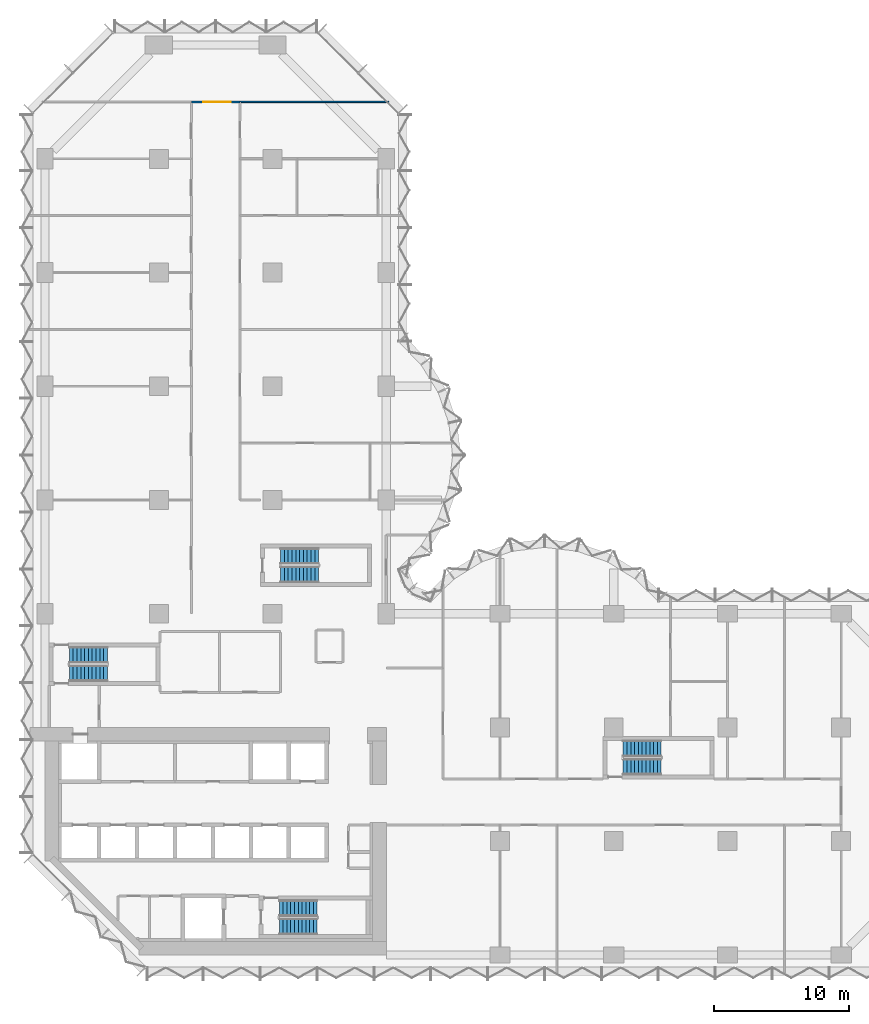
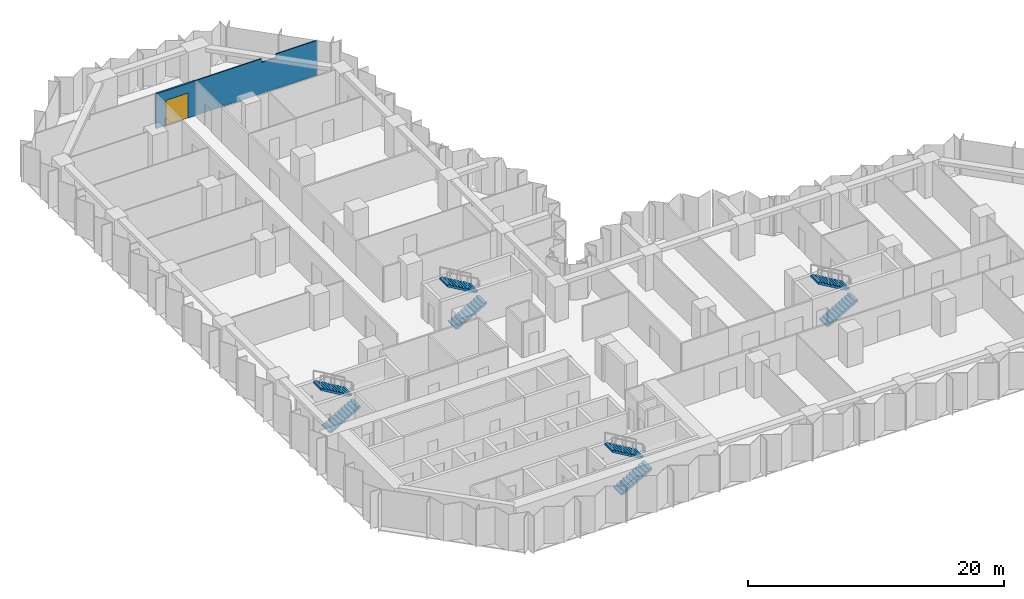
# One storey, part 12 of 15: 8 stair flights, 2 walls, 1 door, 1 opening, 4 elements without a shape of their own.
"""IFC4 building model written with IfcOpenShell, lengths in metres."""

import ifcopenshell
import ifcopenshell.guid

model = None  # the IFC model being written
_history = None  # IfcOwnerHistory: only IFC2X3 demands one
_inside = {}  # id of a spatial element -> (the spatial element, [elements in it])
_under = {}  # id of a project, library or spatial element -> (it, [spatial elements below it])
_declared = {}  # id of a project -> (the project, [libraries it declares])
_typed = {}  # id of a type object -> (the type object, [elements of that type])
_made_of = {}  # id of a material, layer set ... -> (it, [elements and type objects made of it])


def new_model(schema):
    """Start an empty IFC model of exactly this schema.

    Asked for "IFC4X3", IfcOpenShell would pick the latest addendum, in which some entities
    have other attributes; the version numbers below select the first issue.
    IFC2X3 requires an IfcOwnerHistory on every rooted entity: one is made here for all.
    """
    global model, _history
    if schema == "IFC4X3":
        model = ifcopenshell.file(schema_version=(4, 3, 0, 0))
    else:
        model = ifcopenshell.file(schema=schema)
    _inside.clear()
    _under.clear()
    _declared.clear()
    _typed.clear()
    _made_of.clear()
    _history = None
    if model.schema == "IFC2X3":
        org = make("IfcOrganization", Name="unknown")
        user = make(
            "IfcPersonAndOrganization",
            ThePerson=make("IfcPerson", FamilyName="unknown"),
            TheOrganization=org,
        )
        app = make(
            "IfcApplication",
            ApplicationDeveloper=org,
            Version="unknown",
            ApplicationFullName="unknown",
            ApplicationIdentifier="unknown",
        )
        _history = make(
            "IfcOwnerHistory",
            OwningUser=user,
            OwningApplication=app,
            ChangeAction="ADDED",
            CreationDate=0,
        )
    return model


def make(cls, **values):
    """One entity of the class cls with the attributes given. An attribute that is None is left unset."""
    return model.create_entity(
        cls, **{name: value for name, value in values.items() if value is not None}
    )


def rooted(cls, **values):
    """An entity with a GlobalId (a new one), such as an element, a storey or a relation."""
    return make(cls, GlobalId=ifcopenshell.guid.new(), OwnerHistory=_history, **values)


def si_unit(unit_type, name, prefix=None):
    """IfcSIUnit, for example si_unit("LENGTHUNIT", "METRE", prefix="MILLI")."""
    return make("IfcSIUnit", UnitType=unit_type, Prefix=prefix, Name=name)


def assignment(units):
    """IfcUnitAssignment: the units of a project."""
    return None if units is None else make("IfcUnitAssignment", Units=units)


def point(xyz):
    """IfcCartesianPoint."""
    return None if xyz is None else make("IfcCartesianPoint", Coordinates=xyz)


def direction(xyz):
    """IfcDirection."""
    return None if xyz is None else make("IfcDirection", DirectionRatios=xyz)


def frame(location, z_axis=None, x_axis=None):
    """IfcAxis2Placement3D, a coordinate frame: its origin and axes. An axis left out is left unset."""
    return make(
        "IfcAxis2Placement3D",
        Location=point(location),
        Axis=direction(z_axis),
        RefDirection=direction(x_axis),
    )


def frame_2d(location, x_axis=None):
    """IfcAxis2Placement2D, a coordinate frame in the plane: its origin and x axis."""
    return make(
        "IfcAxis2Placement2D", Location=point(location), RefDirection=direction(x_axis)
    )


def origin():
    """The frame at (0, 0, 0) with its axes left unset."""
    return frame((0.0, 0.0, 0.0))


def place(relative_to, where):
    """IfcLocalPlacement: puts the frame where relative to a parent placement (None: the world)."""
    return make(
        "IfcLocalPlacement", PlacementRelTo=relative_to, RelativePlacement=where
    )


def context(
    kind, dimensions, precision=None, world=None, true_north=None, identifier=None
):
    """IfcGeometricRepresentationContext, for example the 3D "Model" context."""
    return make(
        "IfcGeometricRepresentationContext",
        ContextIdentifier=identifier,
        ContextType=kind,
        CoordinateSpaceDimension=dimensions,
        Precision=precision,
        WorldCoordinateSystem=world,
        TrueNorth=true_north,
    )


def subcontext(parent, identifier, kind, view, scale=None):
    """IfcGeometricRepresentationSubContext, for example "Body" below "Model"."""
    return make(
        "IfcGeometricRepresentationSubContext",
        ContextIdentifier=identifier,
        ContextType=kind,
        ParentContext=parent,
        TargetScale=scale,
        TargetView=view,
    )


def project(units=None, contexts=None):
    """IfcProject with its units and contexts."""
    return rooted(
        "IfcProject",
        Name="project",
        RepresentationContexts=contexts,
        UnitsInContext=assignment(units),
    )


def spatial(cls, under=None, at=None, **own):
    """A site, building, storey or space (cls), placed at a placement, below another one or the project."""
    s = rooted(cls, ObjectPlacement=at, **own)
    if under is not None:
        _under.setdefault(under.id(), (under, []))[1].append(s)
    return s


def polyline(points):
    """IfcPolyline through the points."""
    return make("IfcPolyline", Points=[point(p) for p in points])


def profile(cls, at=None, kind="AREA", **sizes):
    """A parametric profile (cls). Its sizes go by their IFC names, for example OverallWidth=200.0."""
    return make(cls, ProfileType=kind, Position=at, **sizes)


def rectangle(**sizes):
    """IfcRectangleProfileDef."""
    return profile("IfcRectangleProfileDef", **sizes)


def outline(outer, holes=None, kind="AREA"):
    """IfcArbitraryClosedProfileDef: a profile drawn as a closed curve; with holes, ...WithVoids."""
    if holes is None:
        return make("IfcArbitraryClosedProfileDef", ProfileType=kind, OuterCurve=outer)
    return make(
        "IfcArbitraryProfileDefWithVoids",
        ProfileType=kind,
        OuterCurve=outer,
        InnerCurves=holes,
    )


def extrude(swept, where, along, depth):
    """IfcExtrudedAreaSolid: the profile swept, set in the frame where, extruded along a direction by depth."""
    return make(
        "IfcExtrudedAreaSolid",
        SweptArea=swept,
        Position=where,
        ExtrudedDirection=direction(along),
        Depth=depth,
    )


def shape(context_of_items, identifier, shape_type, items):
    """IfcShapeRepresentation: the items that make up one representation, for example the "Body"."""
    return make(
        "IfcShapeRepresentation",
        ContextOfItems=context_of_items,
        RepresentationIdentifier=identifier,
        RepresentationType=shape_type,
        Items=items,
    )


def material(Name=None, Category=None):
    """IfcMaterial."""
    return make("IfcMaterial", Name=Name, Category=Category)


def layer(
    of_material, thickness, ventilated=None, Name=None, Category=None, Priority=None
):
    """IfcMaterialLayer: one layer of a wall or slab, of a material (None: an air gap)."""
    return make(
        "IfcMaterialLayer",
        Material=of_material,
        LayerThickness=thickness,
        IsVentilated=ventilated,
        Name=Name,
        Category=Category,
        Priority=Priority,
    )


def layer_set(layers, Name=None):
    """IfcMaterialLayerSet."""
    return make("IfcMaterialLayerSet", MaterialLayers=layers, LayerSetName=Name)


def made_of(thing, what):
    """Note that an element or type object is made of a material, layer set ...; save() writes the relation."""
    if what is not None:
        _made_of.setdefault(what.id(), (what, []))[1].append(thing)
    return thing


def type_object(cls, material=None, **own):
    """A type object (cls), such as IfcWallType, which elements share."""
    return made_of(rooted(cls, **own), material)


def element(
    cls,
    number,
    at=None,
    inside=None,
    cuts=None,
    type_object=None,
    material=None,
    context=None,
    identifier="Body",
    shape_type=None,
    held_by="IfcProductDefinitionShape",
    body=None,
    shapes=None,
    **own,
):
    """One element of the class cls, such as IfcWall. Its Tag is "e" and its number.

    at: its placement. inside: the storey or other place that contains it. cuts: it is an
    opening in that element (IfcRelVoidsElement). A single representation is given by context,
    identifier, shape_type and body (its items); several are given by shapes. held_by: the class
    of the entity that holds the representations. save() writes the other relations.
    """
    e = rooted(cls, Tag="e%d" % number, ObjectPlacement=at, **own)
    if body is not None:
        shapes = [shape(context, identifier, shape_type, body)]
    if shapes is not None:
        e.Representation = make(held_by, Representations=shapes)
    if inside is not None:
        _inside.setdefault(inside.id(), (inside, []))[1].append(e)
    if cuts is not None:
        rooted(
            "IfcRelVoidsElement", RelatingBuildingElement=cuts, RelatedOpeningElement=e
        )
    if type_object is not None:
        _typed.setdefault(type_object.id(), (type_object, []))[1].append(e)
    return made_of(e, material)


def fill(opening, filler):
    """IfcRelFillsElement: the door or window that sits in an opening."""
    return rooted(
        "IfcRelFillsElement",
        RelatingOpeningElement=opening,
        RelatedBuildingElement=filler,
    )


def aggregate(whole, parts):
    """IfcRelAggregates: a whole, such as a stair, and the parts it consists of."""
    return rooted("IfcRelAggregates", RelatingObject=whole, RelatedObjects=parts)


def save(model, path):
    """Write the relations noted so far, then the file.

    IfcRelAggregates (storeys below a building ...), IfcRelContainedInSpatialStructure (elements
    in a storey), IfcRelDefinesByType, IfcRelAssociatesMaterial and IfcRelDeclares: one each for
    every whole, place, type object, material and project.
    """
    for whole, parts in _under.values():
        aggregate(whole, parts)
    for where, things in _inside.values():
        rooted(
            "IfcRelContainedInSpatialStructure",
            RelatedElements=things,
            RelatingStructure=where,
        )
    for kind, things in _typed.values():
        rooted("IfcRelDefinesByType", RelatedObjects=things, RelatingType=kind)
    for what, things in _made_of.values():
        rooted("IfcRelAssociatesMaterial", RelatedObjects=things, RelatingMaterial=what)
    for by, libraries in _declared.values():
        rooted("IfcRelDeclares", RelatingContext=by, RelatedDefinitions=libraries)
    model.write(path)


model = new_model("IFC4")

# Units and contexts
model_context = context("Model", 3, precision=1e-05, world=origin(), true_north=direction((0.0, 1.0)))
body_context = subcontext(model_context, "Body", "Model", "MODEL_VIEW")
ifc_project = project(units=[si_unit("LENGTHUNIT", "METRE"), si_unit("AREAUNIT", "SQUARE_METRE"), si_unit("VOLUMEUNIT", "CUBIC_METRE"), si_unit("PLANEANGLEUNIT", "RADIAN"), si_unit("MASSUNIT", "GRAM", prefix="KILO")], contexts=[model_context])

# Site, building, storey
site_placement = place(None, origin())
site = spatial("IfcSite", under=ifc_project, at=site_placement, CompositionType="ELEMENT")
building_placement = place(site_placement, origin())
building = spatial("IfcBuilding", under=site, at=building_placement, Name="Brevane Broadcast Tower", CompositionType="ELEMENT")
storey_placement = place(building_placement, frame((0.0, 0.0, 72.5)))
storey = spatial("IfcBuildingStorey", under=building, at=storey_placement, Name="L16", CompositionType="ELEMENT", Elevation=72.5)

# Wall
ifc_material_1 = material(Name="Gypsum board partition")
ifc_layer_1 = layer(ifc_material_1, 0.10009765625)
ifc_layer_set_1 = layer_set([ifc_layer_1], Name="PARTITION 100 STUD")
wall_type_1 = type_object("IfcWallType", Name="PARTITION 100 STUD", PredefinedType="PARTITIONING", material=ifc_layer_set_1)
wall_1_placement = place(storey_placement, frame((25.39990234375, 63.0, 0.0), z_axis=(0.0, 0.0, 1.0), x_axis=(-1.0, 0.0, 0.0)))
element("IfcWall", 1, at=wall_1_placement, inside=storey, type_object=wall_type_1, Name="Partition G04-055", PredefinedType="PARTITIONING", context=body_context, shape_type="SweptSolid", body=[
    extrude(outline(polyline([(0.0, 0.0), (11.0, 0.0), (11.0, 3.330078125), (5.065673828125, 3.330078125), (5.063720703125, 2.97998046875), (3.736328125, 2.97998046875), (3.734375, 3.330078125), (0.0, 3.330078125), (0.0, 0.0)])), frame((0.0, 0.050048828125, 0.0), z_axis=(0.0, -1.0, 0.0), x_axis=(1.0, 0.0, 0.0)), (0.0, 0.0, 1.0), 0.10009765625),
])

# Wall, opening, door
ifc_layer_2 = layer(ifc_material_1, 0.14990234375)
ifc_layer_set_2 = layer_set([ifc_layer_2], Name="PARTITION 150 EI 60")
wall_type_2 = type_object("IfcWallType", Name="PARTITION 150 EI 60", PredefinedType="PARTITIONING", material=ifc_layer_set_2)
wall_2_placement = place(storey_placement, frame((10.800048828125, 63.0, 0.0), z_axis=(0.0, 0.0, 1.0), x_axis=(1.0, 0.0, 0.0)))
wall_2 = element("IfcWall", 2, at=wall_2_placement, inside=storey, type_object=wall_type_2, Name="Partition G04-042", PredefinedType="PARTITIONING", context=body_context, shape_type="SweptSolid", body=[
    extrude(rectangle(XDim=3.599853515625, YDim=0.14990234375, at=frame_2d((1.7998046875, 0.0))), origin(), (0.0, 0.0, 1.0), 3.330078125),
])
opening_placement = place(wall_2_placement, frame((0.89990234375, 0.0, 0.0)))
opening = element("IfcOpeningElement", 3, at=opening_placement, cuts=wall_2, Name="Opening D10-014", PredefinedType="OPENING", context=body_context, shape_type="SweptSolid", body=[
    extrude(rectangle(XDim=2.0, YDim=2.39990234375, at=frame_2d((1.0, 1.199951171875))), frame((0.0, 0.0849609375, 0.0), z_axis=(0.0, -1.0, 0.0), x_axis=(1.0, 0.0, 0.0)), (0.0, 0.0, 1.0), 0.169921875),
])
ifc_material_2 = material(Name="Fire-rated timber door leaf", Category="wood")
door_type = type_object("IfcDoorType", Name="DOOR DOUBLE 2000 FD30S", OperationType="DOUBLE_DOOR_SINGLE_SWING", PredefinedType="DOOR", material=ifc_material_2)
door_placement = place(opening_placement, origin())
door = element("IfcDoor", 4, at=door_placement, inside=storey, type_object=door_type, Name="Door D10-014", OperationType="DOUBLE_DOOR_SINGLE_SWING", OverallHeight=2.39990234375, OverallWidth=2.0, PredefinedType="DOOR", context=body_context, shape_type="SweptSolid", body=[
    extrude(rectangle(XDim=2.0, YDim=2.39990234375, at=frame_2d((1.0, 1.199951171875))), frame((0.0, 0.02490234375, 0.0), z_axis=(0.0, -1.0, 0.0), x_axis=(1.0, 0.0, 0.0)), (0.0, 0.0, 1.0), 0.050048828125),
])
fill(opening, door)

# Stair, stair flights
ifc_material_3 = material(Name="Concrete C50/60", Category="concrete")
stair_type = type_object("IfcStairType", Name="Exit stair 22 risers", PredefinedType="HALF_TURN_STAIR", material=ifc_material_3)
stair_1_placement = place(storey_placement, origin())
stair_1 = element("IfcStair", 5, at=stair_1_placement, inside=storey, type_object=stair_type, Name="L16 Exit stair ST-1", PredefinedType="HALF_TURN_STAIR")
stair_flight_type = type_object("IfcStairFlightType", Name="Exit stair flight 22 risers", PredefinedType="STRAIGHT", material=ifc_material_3)
stair_flight_1_placement = place(storey_placement, frame((1.800048828125, 20.800048828125, 0.0), z_axis=(0.0, 0.0, 1.0), x_axis=(1.0, 0.0, 0.0)))
stair_flight_1 = element("IfcStairFlight", 6, at=stair_flight_1_placement, type_object=stair_flight_type, Name="ST-1 flight 1", NumberOfRisers=11, NumberOfTreads=10, PredefinedType="STRAIGHT", RiserHeight=0.163636364, TreadLength=0.28, context=body_context, shape_type="SweptSolid", body=[
    extrude(outline(polyline([(0.0, 0.0), (0.0, 0.16357421875), (0.280029296875, 0.16357421875), (0.280029296875, 0.327392578125), (0.56005859375, 0.327392578125), (0.56005859375, 0.490966796875), (0.840087890625, 0.490966796875), (0.840087890625, 0.654541015625), (1.1201171875, 0.654541015625), (1.1201171875, 0.818115234375), (1.39990234375, 0.818115234375), (1.39990234375, 0.98193359375), (1.679931640625, 0.98193359375), (1.679931640625, 1.1455078125), (1.9599609375, 1.1455078125), (1.9599609375, 1.30908203125), (2.239990234375, 1.30908203125), (2.239990234375, 1.47265625), (2.52001953125, 1.47265625), (2.52001953125, 1.636474609375), (2.800048828125, 1.636474609375), (2.800048828125, 1.800048828125), (2.800048828125, 1.462646484375), (0.297119140625, 0.0), (0.0, 0.0)])), frame((0.0, 0.60009765625, 0.0), z_axis=(0.0, -1.0, 0.0), x_axis=(1.0, 0.0, 0.0)), (0.0, 0.0, 1.0), 1.199951171875),
])
stair_flight_2_placement = place(storey_placement, frame((4.60009765625, 22.14990234375, 1.800048828125), z_axis=(0.0, 0.0, 1.0), x_axis=(-1.0, 0.0, 0.0)))
stair_flight_2 = element("IfcStairFlight", 7, at=stair_flight_2_placement, type_object=stair_flight_type, Name="ST-1 flight 2", NumberOfRisers=11, NumberOfTreads=10, PredefinedType="STRAIGHT", RiserHeight=0.163636364, TreadLength=0.28, context=body_context, shape_type="SweptSolid", body=[
    extrude(outline(polyline([(0.0, 0.0), (0.0, 0.16357421875), (0.280029296875, 0.16357421875), (0.280029296875, 0.327392578125), (0.56005859375, 0.327392578125), (0.56005859375, 0.490966796875), (0.840087890625, 0.490966796875), (0.840087890625, 0.654541015625), (1.1201171875, 0.654541015625), (1.1201171875, 0.818115234375), (1.39990234375, 0.818115234375), (1.39990234375, 0.98193359375), (1.679931640625, 0.98193359375), (1.679931640625, 1.1455078125), (1.9599609375, 1.1455078125), (1.9599609375, 1.30908203125), (2.239990234375, 1.30908203125), (2.239990234375, 1.47265625), (2.52001953125, 1.47265625), (2.52001953125, 1.636474609375), (2.800048828125, 1.636474609375), (2.800048828125, 1.800048828125), (2.800048828125, 1.462646484375), (0.297119140625, 0.0), (0.0, 0.0)])), frame((0.0, 0.60009765625, 0.0), z_axis=(0.0, -1.0, 0.0), x_axis=(1.0, 0.0, 0.0)), (0.0, 0.0, 1.0), 1.199951171875),
])
aggregate(stair_1, [stair_flight_1, stair_flight_2])

stair_2_placement = place(storey_placement, origin())
stair_2 = element("IfcStair", 8, at=stair_2_placement, inside=storey, type_object=stair_type, Name="L16 Exit stair ST-2", PredefinedType="HALF_TURN_STAIR")
stair_flight_3_placement = place(storey_placement, frame((17.300048828125, 2.10009765625, 0.0), z_axis=(0.0, 0.0, 1.0), x_axis=(1.0, 0.0, 0.0)))
stair_flight_3 = element("IfcStairFlight", 9, at=stair_flight_3_placement, type_object=stair_flight_type, Name="ST-2 flight 1", NumberOfRisers=11, NumberOfTreads=10, PredefinedType="STRAIGHT", RiserHeight=0.163636364, TreadLength=0.28, context=body_context, shape_type="SweptSolid", body=[
    extrude(outline(polyline([(0.0, 0.0), (0.0, 0.16357421875), (0.280029296875, 0.16357421875), (0.280029296875, 0.327392578125), (0.56005859375, 0.327392578125), (0.56005859375, 0.490966796875), (0.840087890625, 0.490966796875), (0.840087890625, 0.654541015625), (1.1201171875, 0.654541015625), (1.1201171875, 0.818115234375), (1.39990234375, 0.818115234375), (1.39990234375, 0.98193359375), (1.679931640625, 0.98193359375), (1.679931640625, 1.1455078125), (1.9599609375, 1.1455078125), (1.9599609375, 1.30908203125), (2.239990234375, 1.30908203125), (2.239990234375, 1.47265625), (2.52001953125, 1.47265625), (2.52001953125, 1.636474609375), (2.800048828125, 1.636474609375), (2.800048828125, 1.800048828125), (2.800048828125, 1.462646484375), (0.297119140625, 0.0), (0.0, 0.0)])), frame((0.0, 0.60009765625, 0.0), z_axis=(0.0, -1.0, 0.0), x_axis=(1.0, 0.0, 0.0)), (0.0, 0.0, 1.0), 1.199951171875),
])
stair_flight_4_placement = place(storey_placement, frame((20.10009765625, 3.449951171875, 1.800048828125), z_axis=(0.0, 0.0, 1.0), x_axis=(-1.0, 0.0, 0.0)))
stair_flight_4 = element("IfcStairFlight", 10, at=stair_flight_4_placement, type_object=stair_flight_type, Name="ST-2 flight 2", NumberOfRisers=11, NumberOfTreads=10, PredefinedType="STRAIGHT", RiserHeight=0.163636364, TreadLength=0.28, context=body_context, shape_type="SweptSolid", body=[
    extrude(outline(polyline([(0.0, 0.0), (0.0, 0.16357421875), (0.280029296875, 0.16357421875), (0.280029296875, 0.327392578125), (0.56005859375, 0.327392578125), (0.56005859375, 0.490966796875), (0.840087890625, 0.490966796875), (0.840087890625, 0.654541015625), (1.1201171875, 0.654541015625), (1.1201171875, 0.818115234375), (1.39990234375, 0.818115234375), (1.39990234375, 0.98193359375), (1.679931640625, 0.98193359375), (1.679931640625, 1.1455078125), (1.9599609375, 1.1455078125), (1.9599609375, 1.30908203125), (2.239990234375, 1.30908203125), (2.239990234375, 1.47265625), (2.52001953125, 1.47265625), (2.52001953125, 1.636474609375), (2.800048828125, 1.636474609375), (2.800048828125, 1.800048828125), (2.800048828125, 1.462646484375), (0.297119140625, 0.0), (0.0, 0.0)])), frame((0.0, 0.60009765625, 0.0), z_axis=(0.0, -1.0, 0.0), x_axis=(1.0, 0.0, 0.0)), (0.0, 0.0, 1.0), 1.199951171875),
])
aggregate(stair_2, [stair_flight_3, stair_flight_4])

stair_3_placement = place(storey_placement, origin())
stair_3 = element("IfcStair", 11, at=stair_3_placement, inside=storey, type_object=stair_type, Name="L16 Exit stair ST-3", PredefinedType="HALF_TURN_STAIR")
stair_flight_5_placement = place(storey_placement, frame((17.39990234375, 28.10009765625, 0.0), z_axis=(0.0, 0.0, 1.0), x_axis=(1.0, 0.0, 0.0)))
stair_flight_5 = element("IfcStairFlight", 12, at=stair_flight_5_placement, type_object=stair_flight_type, Name="ST-3 flight 1", NumberOfRisers=11, NumberOfTreads=10, PredefinedType="STRAIGHT", RiserHeight=0.163636364, TreadLength=0.28, context=body_context, shape_type="SweptSolid", body=[
    extrude(outline(polyline([(0.0, 0.0), (0.0, 0.16357421875), (0.280029296875, 0.16357421875), (0.280029296875, 0.327392578125), (0.56005859375, 0.327392578125), (0.56005859375, 0.490966796875), (0.840087890625, 0.490966796875), (0.840087890625, 0.654541015625), (1.1201171875, 0.654541015625), (1.1201171875, 0.818115234375), (1.39990234375, 0.818115234375), (1.39990234375, 0.98193359375), (1.679931640625, 0.98193359375), (1.679931640625, 1.1455078125), (1.9599609375, 1.1455078125), (1.9599609375, 1.30908203125), (2.239990234375, 1.30908203125), (2.239990234375, 1.47265625), (2.52001953125, 1.47265625), (2.52001953125, 1.636474609375), (2.800048828125, 1.636474609375), (2.800048828125, 1.800048828125), (2.800048828125, 1.462646484375), (0.297119140625, 0.0), (0.0, 0.0)])), frame((0.0, 0.60009765625, 0.0), z_axis=(0.0, -1.0, 0.0), x_axis=(1.0, 0.0, 0.0)), (0.0, 0.0, 1.0), 1.199951171875),
])
stair_flight_6_placement = place(storey_placement, frame((20.199951171875, 29.449951171875, 1.800048828125), z_axis=(0.0, 0.0, 1.0), x_axis=(-1.0, 0.0, 0.0)))
stair_flight_6 = element("IfcStairFlight", 13, at=stair_flight_6_placement, type_object=stair_flight_type, Name="ST-3 flight 2", NumberOfRisers=11, NumberOfTreads=10, PredefinedType="STRAIGHT", RiserHeight=0.163636364, TreadLength=0.28, context=body_context, shape_type="SweptSolid", body=[
    extrude(outline(polyline([(0.0, 0.0), (0.0, 0.16357421875), (0.280029296875, 0.16357421875), (0.280029296875, 0.327392578125), (0.56005859375, 0.327392578125), (0.56005859375, 0.490966796875), (0.840087890625, 0.490966796875), (0.840087890625, 0.654541015625), (1.1201171875, 0.654541015625), (1.1201171875, 0.818115234375), (1.39990234375, 0.818115234375), (1.39990234375, 0.98193359375), (1.679931640625, 0.98193359375), (1.679931640625, 1.1455078125), (1.9599609375, 1.1455078125), (1.9599609375, 1.30908203125), (2.239990234375, 1.30908203125), (2.239990234375, 1.47265625), (2.52001953125, 1.47265625), (2.52001953125, 1.636474609375), (2.800048828125, 1.636474609375), (2.800048828125, 1.800048828125), (2.800048828125, 1.462646484375), (0.297119140625, 0.0), (0.0, 0.0)])), frame((0.0, 0.60009765625, 0.0), z_axis=(0.0, -1.0, 0.0), x_axis=(1.0, 0.0, 0.0)), (0.0, 0.0, 1.0), 1.199951171875),
])
aggregate(stair_3, [stair_flight_5, stair_flight_6])

stair_4_placement = place(storey_placement, origin())
stair_4 = element("IfcStair", 14, at=stair_4_placement, inside=storey, type_object=stair_type, Name="L16 Exit stair ST-4", PredefinedType="HALF_TURN_STAIR")
stair_flight_7_placement = place(storey_placement, frame((42.699951171875, 13.89990234375, 0.0), z_axis=(0.0, 0.0, 1.0), x_axis=(1.0, 0.0, 0.0)))
stair_flight_7 = element("IfcStairFlight", 15, at=stair_flight_7_placement, type_object=stair_flight_type, Name="ST-4 flight 1", NumberOfRisers=11, NumberOfTreads=10, PredefinedType="STRAIGHT", RiserHeight=0.163636364, TreadLength=0.28, context=body_context, shape_type="SweptSolid", body=[
    extrude(outline(polyline([(0.0, 0.0), (0.0, 0.16357421875), (0.280029296875, 0.16357421875), (0.280029296875, 0.327392578125), (0.56005859375, 0.327392578125), (0.56005859375, 0.490966796875), (0.840087890625, 0.490966796875), (0.840087890625, 0.654541015625), (1.1201171875, 0.654541015625), (1.1201171875, 0.818115234375), (1.39990234375, 0.818115234375), (1.39990234375, 0.98193359375), (1.679931640625, 0.98193359375), (1.679931640625, 1.1455078125), (1.9599609375, 1.1455078125), (1.9599609375, 1.30908203125), (2.239990234375, 1.30908203125), (2.239990234375, 1.47265625), (2.52001953125, 1.47265625), (2.52001953125, 1.636474609375), (2.800048828125, 1.636474609375), (2.800048828125, 1.800048828125), (2.800048828125, 1.462646484375), (0.297119140625, 0.0), (0.0, 0.0)])), frame((0.0, 0.60009765625, 0.0), z_axis=(0.0, -1.0, 0.0), x_axis=(1.0, 0.0, 0.0)), (0.0, 0.0, 1.0), 1.199951171875),
])
stair_flight_8_placement = place(storey_placement, frame((45.5, 15.25, 1.800048828125), z_axis=(0.0, 0.0, 1.0), x_axis=(-1.0, 0.0, 0.0)))
stair_flight_8 = element("IfcStairFlight", 16, at=stair_flight_8_placement, type_object=stair_flight_type, Name="ST-4 flight 2", NumberOfRisers=11, NumberOfTreads=10, PredefinedType="STRAIGHT", RiserHeight=0.163636364, TreadLength=0.28, context=body_context, shape_type="SweptSolid", body=[
    extrude(outline(polyline([(0.0, 0.0), (0.0, 0.16357421875), (0.280029296875, 0.16357421875), (0.280029296875, 0.327392578125), (0.56005859375, 0.327392578125), (0.56005859375, 0.490966796875), (0.840087890625, 0.490966796875), (0.840087890625, 0.654541015625), (1.1201171875, 0.654541015625), (1.1201171875, 0.818115234375), (1.39990234375, 0.818115234375), (1.39990234375, 0.98193359375), (1.679931640625, 0.98193359375), (1.679931640625, 1.1455078125), (1.9599609375, 1.1455078125), (1.9599609375, 1.30908203125), (2.239990234375, 1.30908203125), (2.239990234375, 1.47265625), (2.52001953125, 1.47265625), (2.52001953125, 1.636474609375), (2.800048828125, 1.636474609375), (2.800048828125, 1.800048828125), (2.800048828125, 1.462646484375), (0.297119140625, 0.0), (0.0, 0.0)])), frame((0.0, 0.60009765625, 0.0), z_axis=(0.0, -1.0, 0.0), x_axis=(1.0, 0.0, 0.0)), (0.0, 0.0, 1.0), 1.199951171875),
])
aggregate(stair_4, [stair_flight_7, stair_flight_8])

save(model, "model.ifc")
